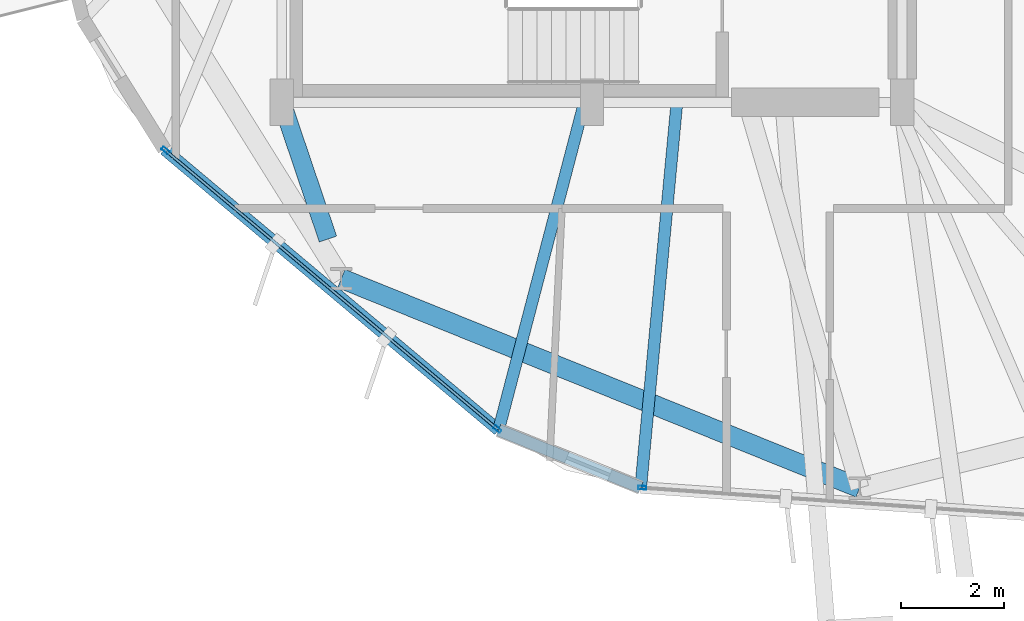
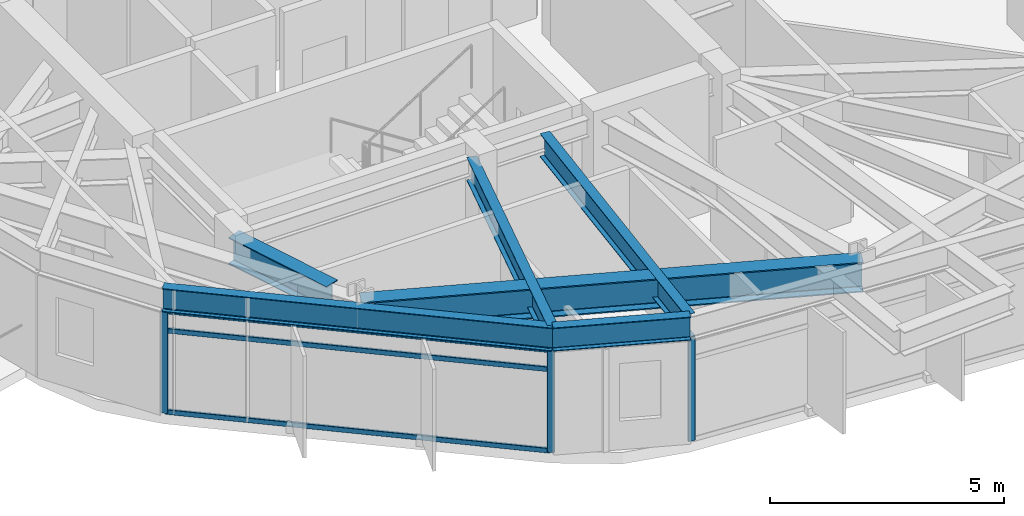
# One storey, part 2 of 22: 6 beams, 6 members, 2 elements without a shape of their own.
"""IFC4 building model written with IfcOpenShell, lengths in metres."""

from ifc_helpers import new_model, si_unit, direction, frame, origin, origin_2d, place, context, subcontext, project, spatial, hollow_rectangle, i_section, extrude, material, layer, layer_set, material_profile, profile_set, type_object, element, aggregate, save


model = new_model("IFC4")

# Units and contexts
model_context = context("Model", 3, precision=1e-05, world=origin(), true_north=direction((0.0, 1.0)))
body_context = subcontext(model_context, "Body", "Model", "MODEL_VIEW")
ifc_project = project(units=[si_unit("LENGTHUNIT", "METRE"), si_unit("AREAUNIT", "SQUARE_METRE"), si_unit("VOLUMEUNIT", "CUBIC_METRE"), si_unit("PLANEANGLEUNIT", "RADIAN"), si_unit("MASSUNIT", "GRAM", prefix="KILO")], contexts=[model_context])

# Site, building, storey
site_placement = place(None, origin())
site = spatial("IfcSite", under=ifc_project, at=site_placement, CompositionType="ELEMENT")
building_placement = place(site_placement, origin())
building = spatial("IfcBuilding", under=site, at=building_placement, Name="Soratama Intermodal Tower", CompositionType="ELEMENT")
storey_placement = place(building_placement, frame((0.0, 0.0, 157.0)))
storey = spatial("IfcBuildingStorey", under=building, at=storey_placement, Name="L38", CompositionType="ELEMENT", Elevation=157.0)

# Beams
ifc_material_1 = material(Name="Structural steel ASTM A992 Grade 50", Category="steel")
ifc_material_profile_1 = material_profile(ifc_material_1, i_section(OverallWidth=0.35498046875, OverallDepth=0.695068359375, WebThickness=0.015380859375, FlangeThickness=0.02490234375, FilletRadius=0.01611328125, at=origin_2d()), Name="W27X146")
ifc_profile_set_1 = profile_set([ifc_material_profile_1], Name="Structural steel ASTM A992 Grade 50")
beam_type_1 = type_object("IfcBeamType", Name="BM-RING-W27X146", PredefinedType="BEAM", material=ifc_profile_set_1)
beam_1_placement = place(storey_placement, frame((32.60009765625, 15.0, 2.952392578125), z_axis=(0.32013816754, -0.947370863856, 0.0), x_axis=(0.947370863856, 0.32013816754, 0.0)))
element("IfcBeam", 1, at=beam_1_placement, inside=storey, type_object=beam_type_1, Name="BM-L38-RAD-07", PredefinedType="BEAM", context=body_context, shape_type="SweptSolid", body=[
    extrude(i_section(OverallWidth=0.35498046875, OverallDepth=0.695068359375, WebThickness=0.015380859375, FlangeThickness=0.02490234375, FilletRadius=0.01611328125, at=origin_2d()), origin(), (0.0, 0.0, 1.0), 2.788818359375),
])
ifc_material_2 = material(Name="Structural steel ASTM A992 Grade 50", Category="steel")
ifc_material_profile_2 = material_profile(ifc_material_2, i_section(OverallWidth=0.382080078125, OverallDepth=0.779052734375, WebThickness=0.01806640625, FlangeThickness=0.030029296875, FilletRadius=0.01806640625, at=origin_2d()), Name="W30X191")
ifc_profile_set_2 = profile_set([ifc_material_profile_2], Name="Structural steel ASTM A992 Grade 50")
beam_type_2 = type_object("IfcBeamType", Name="BM-RING-W30X191", PredefinedType="BEAM", material=ifc_profile_set_2)
beam_2_placement = place(storey_placement, frame((33.7509765625, 11.593994140625, 2.910400390625), z_axis=(0.927202491827, -0.374560461275, 0.0), x_axis=(0.374560461275, 0.927202491827, 0.0)))
element("IfcBeam", 2, at=beam_2_placement, inside=storey, type_object=beam_type_2, Name="BM-L38-RING-07", PredefinedType="BEAM", context=body_context, shape_type="SweptSolid", body=[
    extrude(i_section(OverallWidth=0.382080078125, OverallDepth=0.779052734375, WebThickness=0.01806640625, FlangeThickness=0.030029296875, FilletRadius=0.01806640625, at=origin_2d()), origin(), (0.0, 0.0, 1.0), 10.8154296875),
])
ifc_material_3 = material(Name="Structural steel ASTM A992 Grade 50", Category="steel")
ifc_material_profile_3 = material_profile(ifc_material_3, i_section(OverallWidth=0.22900390625, OverallDepth=0.612060546875, WebThickness=0.011962890625, FlangeThickness=0.01953125, FilletRadius=0.012939453125, at=origin_2d()), Name="W24X84")
ifc_profile_set_3 = profile_set([ifc_material_profile_3], Name="Structural steel ASTM A992 Grade 50")
beam_type_3 = type_object("IfcBeamType", Name="BM-SPN-W24X84", PredefinedType="SPANDREL", material=ifc_profile_set_3)
beam_3_placement = place(storey_placement, frame((30.3291015625, 14.091064453125, 2.993896484375), z_axis=(0.765802292686, -0.643076082992, 0.0), x_axis=(0.643076082992, 0.765802292686, 0.0)))
element("IfcBeam", 3, at=beam_3_placement, inside=storey, type_object=beam_type_3, Name="BS-L38-F06", PredefinedType="SPANDREL", context=body_context, shape_type="SweptSolid", body=[
    extrude(i_section(OverallWidth=0.22900390625, OverallDepth=0.612060546875, WebThickness=0.011962890625, FlangeThickness=0.01953125, FilletRadius=0.012939453125, at=origin_2d()), origin(), (0.0, 0.0, 1.0), 8.440673828125),
])
beam_4_placement = place(storey_placement, frame((36.79296875, 8.6630859375, 2.993896484375), z_axis=(0.927068075429, -0.374893029437, 0.0), x_axis=(0.374893029437, 0.927068075429, 0.0)))
element("IfcBeam", 4, at=beam_4_placement, inside=storey, type_object=beam_type_3, Name="BS-L38-CRN06", PredefinedType="SPANDREL", context=body_context, shape_type="SweptSolid", body=[
    extrude(i_section(OverallWidth=0.22900390625, OverallDepth=0.612060546875, WebThickness=0.011962890625, FlangeThickness=0.01953125, FilletRadius=0.012939453125, at=origin_2d()), origin(), (0.0, 0.0, 1.0), 2.96630859375),
])
ifc_material_4 = material(Name="Structural steel ASTM A992 Grade 50", Category="steel")
ifc_material_profile_4 = material_profile(ifc_material_4, i_section(OverallWidth=0.22900390625, OverallDepth=0.612060546875, WebThickness=0.011962890625, FlangeThickness=0.01953125, FilletRadius=0.012939453125, at=origin_2d()), Name="W24X84")
ifc_profile_set_4 = profile_set([ifc_material_profile_4], Name="Structural steel ASTM A992 Grade 50")
beam_type_4 = type_object("IfcBeamType", Name="BM-TIE-W24X84", PredefinedType="BEAM", material=ifc_profile_set_4)
beam_5_placement = place(storey_placement, frame((38.44189453125, 14.9609375, 2.993896484375), z_axis=(-0.253285860102, -0.967391478706, 0.0), x_axis=(0.967391478706, -0.253285860102, 0.0)))
element("IfcBeam", 5, at=beam_5_placement, inside=storey, type_object=beam_type_4, Name="BM-L38-TIE1-06", PredefinedType="BEAM", context=body_context, shape_type="SweptSolid", body=[
    extrude(i_section(OverallWidth=0.22900390625, OverallDepth=0.612060546875, WebThickness=0.011962890625, FlangeThickness=0.01953125, FilletRadius=0.012939453125, at=origin_2d()), origin(), (0.0, 0.0, 1.0), 6.51025390625),
])
beam_6_placement = place(storey_placement, frame((40.239013671875, 14.9599609375, 2.993896484375), z_axis=(-0.093534821934, -0.995616008854, 0.0), x_axis=(0.995616008854, -0.093534821934, 0.0)))
element("IfcBeam", 6, at=beam_6_placement, inside=storey, type_object=beam_type_4, Name="BM-L38-TIE0-07", PredefinedType="BEAM", context=body_context, shape_type="SweptSolid", body=[
    extrude(i_section(OverallWidth=0.22900390625, OverallDepth=0.612060546875, WebThickness=0.011962890625, FlangeThickness=0.01953125, FilletRadius=0.012939453125, at=origin_2d()), origin(), (0.0, 0.0, 1.0), 7.441650390625),
])

# Curtain wall, members
ifc_material_5 = material(Name="Double-glazed aluminium curtain wall", Category="aluminium")
ifc_layer = layer(ifc_material_5, 0.159912109375)
ifc_layer_set = layer_set([ifc_layer], Name="Double-glazed aluminium curtain wall")
curtain_wall_type = type_object("IfcCurtainWallType", Name="CW-SYS-4", PredefinedType="NOTDEFINED", material=ifc_layer_set)
curtain_wall_1_placement = place(storey_placement, origin())
curtain_wall_1 = element("IfcCurtainWall", 7, at=curtain_wall_1_placement, inside=storey, type_object=curtain_wall_type, Name="L38 Faceted Curtain Wall F06", PredefinedType="NOTDEFINED")
ifc_material_6 = material(Name="Anodised aluminium AA 6063-T6", Category="aluminium")
ifc_material_profile_5 = material_profile(ifc_material_6, hollow_rectangle(XDim=0.070068359375, YDim=0.159912109375, WallThickness=0.0048828125, InnerFilletRadius=0.0048828125, OuterFilletRadius=0.010009765625, at=origin_2d()), Name="CWM160X70X5")
ifc_profile_set_5 = profile_set([ifc_material_profile_5], Name="Anodised aluminium AA 6063-T6")
member_type_1 = type_object("IfcMemberType", Name="MT-CWM-4", PredefinedType="MULLION", material=ifc_profile_set_5)
member_1_placement = place(storey_placement, frame((30.35205078125, 14.07177734375, 0.0), z_axis=(0.0, 0.0, 1.0), x_axis=(0.643054816752, 0.76582015033, 0.0)))
member_1 = element("IfcMember", 8, at=member_1_placement, type_object=member_type_1, Name="CW-4 mullion 1", PredefinedType="MULLION", context=body_context, shape_type="SweptSolid", body=[
    extrude(hollow_rectangle(XDim=0.070068359375, YDim=0.159912109375, WallThickness=0.0048828125, InnerFilletRadius=0.0048828125, OuterFilletRadius=0.010009765625, at=origin_2d()), origin(), (0.0, 0.0, 1.0), 2.678955078125),
])
member_2_placement = place(storey_placement, frame((36.77001953125, 8.6826171875, 0.0), z_axis=(0.0, 0.0, 1.0), x_axis=(0.643054816752, 0.76582015033, 0.0)))
member_2 = element("IfcMember", 9, at=member_2_placement, type_object=member_type_1, Name="CW-4 mullion 2", PredefinedType="MULLION", context=body_context, shape_type="SweptSolid", body=[
    extrude(hollow_rectangle(XDim=0.070068359375, YDim=0.159912109375, WallThickness=0.0048828125, InnerFilletRadius=0.0048828125, OuterFilletRadius=0.010009765625, at=origin_2d()), origin(), (0.0, 0.0, 1.0), 2.678955078125),
])

# Curtain wall, member
curtain_wall_2_placement = place(storey_placement, origin())
curtain_wall_2 = element("IfcCurtainWall", 10, at=curtain_wall_2_placement, inside=storey, type_object=curtain_wall_type, Name="L38 Faceted Curtain Wall F07", PredefinedType="NOTDEFINED")
member_3_placement = place(storey_placement, frame((39.572998046875, 7.549072265625, 0.0), z_axis=(0.0, 0.0, 1.0), x_axis=(0.070114558507, 0.997538945949, 0.0)))
member_3 = element("IfcMember", 11, at=member_3_placement, type_object=member_type_1, Name="CW-4 mullion 1", PredefinedType="MULLION", context=body_context, shape_type="SweptSolid", body=[
    extrude(hollow_rectangle(XDim=0.070068359375, YDim=0.159912109375, WallThickness=0.0048828125, InnerFilletRadius=0.0048828125, OuterFilletRadius=0.010009765625, at=origin_2d()), origin(), (0.0, 0.0, 1.0), 2.678955078125),
])
aggregate(curtain_wall_2, [member_3])

# Member
ifc_material_7 = material(Name="Anodised aluminium AA 6063-T6", Category="aluminium")
ifc_material_profile_6 = material_profile(ifc_material_7, hollow_rectangle(XDim=0.06005859375, YDim=0.1298828125, WallThickness=0.0048828125, InnerFilletRadius=0.0048828125, OuterFilletRadius=0.010009765625, at=origin_2d()), Name="CWT130X60X5")
ifc_profile_set_6 = profile_set([ifc_material_profile_6], Name="Anodised aluminium AA 6063-T6")
member_type_2 = type_object("IfcMemberType", Name="TT-CWT-2", PredefinedType="USERDEFINED", material=ifc_profile_set_6)
member_4_placement = place(storey_placement, frame((30.375, 14.052490234375, 0.030029296875), z_axis=(0.765820457934, -0.643054450424, 0.0), x_axis=(0.643054450424, 0.765820457934, 0.0)))
member_4 = element("IfcMember", 12, at=member_4_placement, type_object=member_type_2, Name="CW-4 transom 1.1", ObjectType="TRANSOM", PredefinedType="USERDEFINED", context=body_context, shape_type="SweptSolid", body=[
    extrude(hollow_rectangle(XDim=0.06005859375, YDim=0.1298828125, WallThickness=0.0048828125, InnerFilletRadius=0.0048828125, OuterFilletRadius=0.010009765625, at=origin_2d()), origin(), (0.0, 0.0, 1.0), 8.320556640625),
])

member_5_placement = place(storey_placement, frame((30.375, 14.052490234375, 2.14990234375), z_axis=(0.765820457934, -0.643054450424, 0.0), x_axis=(0.643054450424, 0.765820457934, 0.0)))
member_5 = element("IfcMember", 13, at=member_5_placement, type_object=member_type_2, Name="CW-4 transom 1.2", ObjectType="TRANSOM", PredefinedType="USERDEFINED", context=body_context, shape_type="SweptSolid", body=[
    extrude(hollow_rectangle(XDim=0.06005859375, YDim=0.1298828125, WallThickness=0.0048828125, InnerFilletRadius=0.0048828125, OuterFilletRadius=0.010009765625, at=origin_2d()), origin(), (0.0, 0.0, 1.0), 8.320556640625),
])

member_6_placement = place(storey_placement, frame((30.375, 14.052490234375, 2.64892578125), z_axis=(0.765820457934, -0.643054450424, 0.0), x_axis=(0.643054450424, 0.765820457934, 0.0)))
member_6 = element("IfcMember", 14, at=member_6_placement, type_object=member_type_2, Name="CW-4 transom 1.3", ObjectType="TRANSOM", PredefinedType="USERDEFINED", context=body_context, shape_type="SweptSolid", body=[
    extrude(hollow_rectangle(XDim=0.06005859375, YDim=0.1298828125, WallThickness=0.0048828125, InnerFilletRadius=0.0048828125, OuterFilletRadius=0.010009765625, at=origin_2d()), origin(), (0.0, 0.0, 1.0), 8.320556640625),
])

aggregate(curtain_wall_1, [member_1, member_2, member_4, member_5, member_6])

save(model, "model.ifc")
